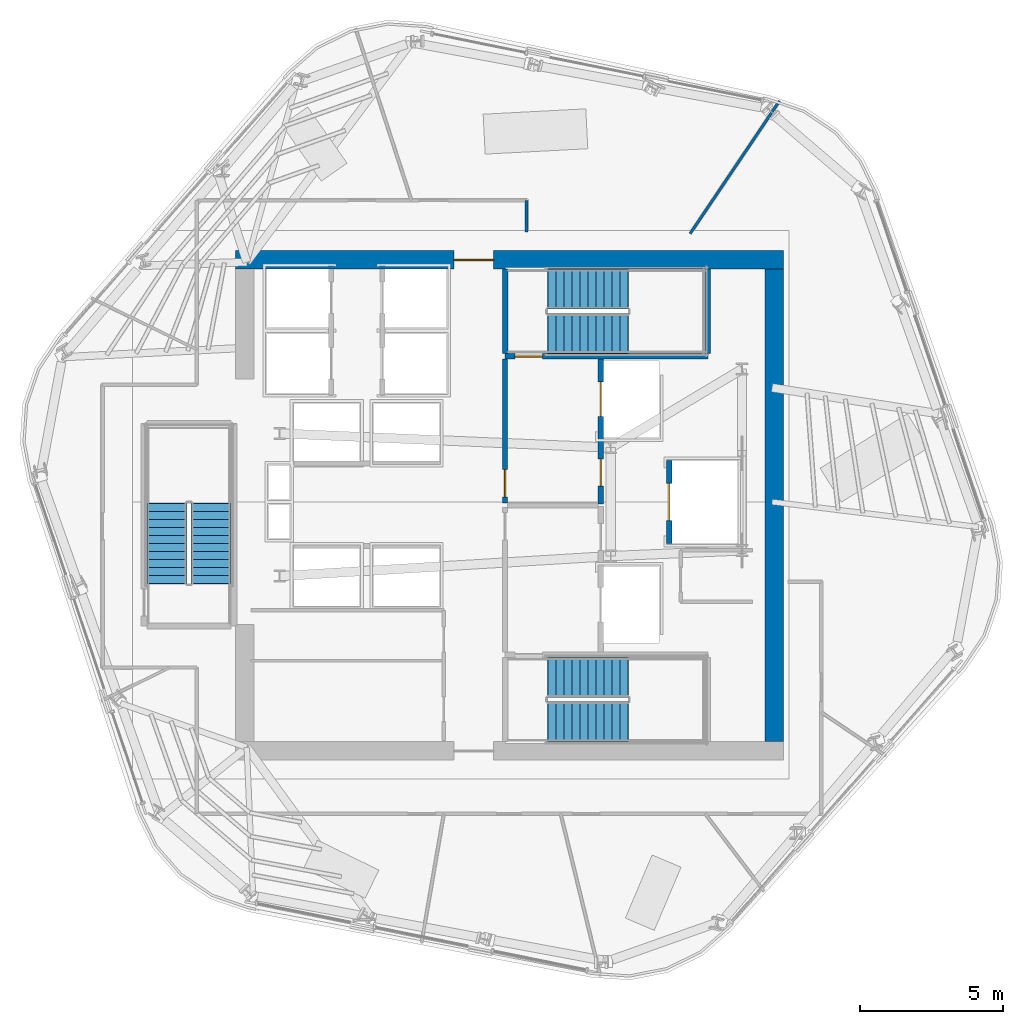
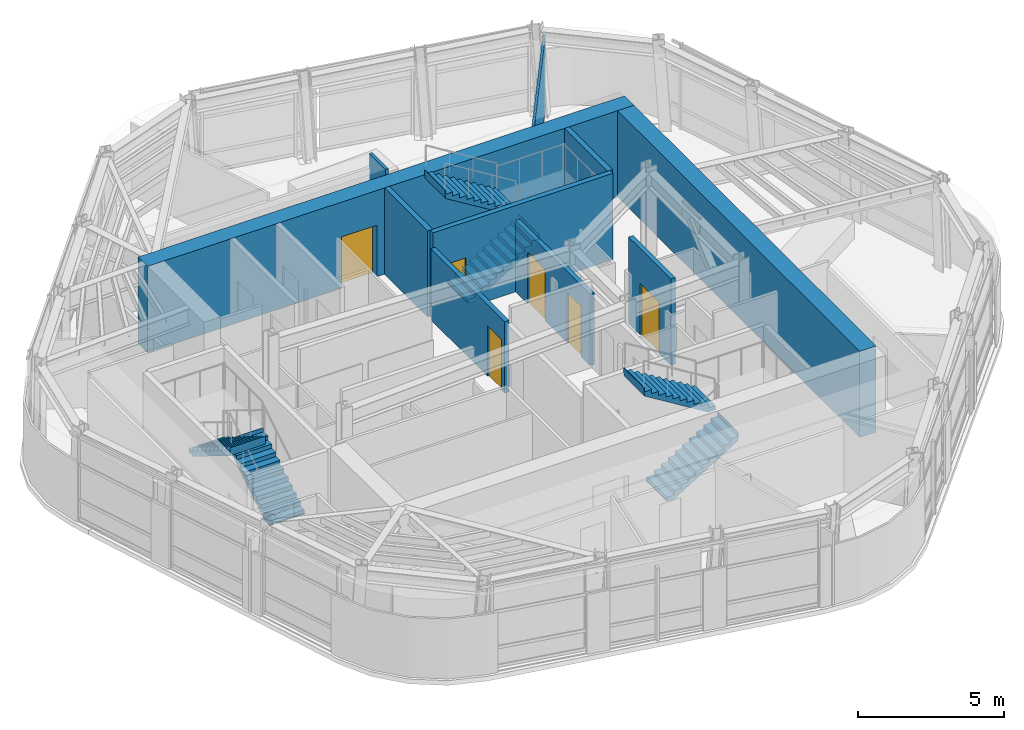
# One storey, part 7 of 12: 10 walls, 6 doors, 6 stair flights, 6 openings, 3 elements without a shape of their own.
"""IFC4 building model written with IfcOpenShell, lengths in metres."""

import ifcopenshell
import ifcopenshell.guid

model = None  # the IFC model being written
_history = None  # IfcOwnerHistory: only IFC2X3 demands one
_inside = {}  # id of a spatial element -> (the spatial element, [elements in it])
_under = {}  # id of a project, library or spatial element -> (it, [spatial elements below it])
_declared = {}  # id of a project -> (the project, [libraries it declares])
_typed = {}  # id of a type object -> (the type object, [elements of that type])
_made_of = {}  # id of a material, layer set ... -> (it, [elements and type objects made of it])


def new_model(schema):
    """Start an empty IFC model of exactly this schema.

    Asked for "IFC4X3", IfcOpenShell would pick the latest addendum, in which some entities
    have other attributes; the version numbers below select the first issue.
    IFC2X3 requires an IfcOwnerHistory on every rooted entity: one is made here for all.
    """
    global model, _history
    if schema == "IFC4X3":
        model = ifcopenshell.file(schema_version=(4, 3, 0, 0))
    else:
        model = ifcopenshell.file(schema=schema)
    _inside.clear()
    _under.clear()
    _declared.clear()
    _typed.clear()
    _made_of.clear()
    _history = None
    if model.schema == "IFC2X3":
        org = make("IfcOrganization", Name="unknown")
        user = make(
            "IfcPersonAndOrganization",
            ThePerson=make("IfcPerson", FamilyName="unknown"),
            TheOrganization=org,
        )
        app = make(
            "IfcApplication",
            ApplicationDeveloper=org,
            Version="unknown",
            ApplicationFullName="unknown",
            ApplicationIdentifier="unknown",
        )
        _history = make(
            "IfcOwnerHistory",
            OwningUser=user,
            OwningApplication=app,
            ChangeAction="ADDED",
            CreationDate=0,
        )
    return model


def make(cls, **values):
    """One entity of the class cls with the attributes given. An attribute that is None is left unset."""
    return model.create_entity(
        cls, **{name: value for name, value in values.items() if value is not None}
    )


def rooted(cls, **values):
    """An entity with a GlobalId (a new one), such as an element, a storey or a relation."""
    return make(cls, GlobalId=ifcopenshell.guid.new(), OwnerHistory=_history, **values)


def si_unit(unit_type, name, prefix=None):
    """IfcSIUnit, for example si_unit("LENGTHUNIT", "METRE", prefix="MILLI")."""
    return make("IfcSIUnit", UnitType=unit_type, Prefix=prefix, Name=name)


def assignment(units):
    """IfcUnitAssignment: the units of a project."""
    return None if units is None else make("IfcUnitAssignment", Units=units)


def point(xyz):
    """IfcCartesianPoint."""
    return None if xyz is None else make("IfcCartesianPoint", Coordinates=xyz)


def direction(xyz):
    """IfcDirection."""
    return None if xyz is None else make("IfcDirection", DirectionRatios=xyz)


def frame(location, z_axis=None, x_axis=None):
    """IfcAxis2Placement3D, a coordinate frame: its origin and axes. An axis left out is left unset."""
    return make(
        "IfcAxis2Placement3D",
        Location=point(location),
        Axis=direction(z_axis),
        RefDirection=direction(x_axis),
    )


def frame_2d(location, x_axis=None):
    """IfcAxis2Placement2D, a coordinate frame in the plane: its origin and x axis."""
    return make(
        "IfcAxis2Placement2D", Location=point(location), RefDirection=direction(x_axis)
    )


def origin():
    """The frame at (0, 0, 0) with its axes left unset."""
    return frame((0.0, 0.0, 0.0))


def place(relative_to, where):
    """IfcLocalPlacement: puts the frame where relative to a parent placement (None: the world)."""
    return make(
        "IfcLocalPlacement", PlacementRelTo=relative_to, RelativePlacement=where
    )


def context(
    kind, dimensions, precision=None, world=None, true_north=None, identifier=None
):
    """IfcGeometricRepresentationContext, for example the 3D "Model" context."""
    return make(
        "IfcGeometricRepresentationContext",
        ContextIdentifier=identifier,
        ContextType=kind,
        CoordinateSpaceDimension=dimensions,
        Precision=precision,
        WorldCoordinateSystem=world,
        TrueNorth=true_north,
    )


def subcontext(parent, identifier, kind, view, scale=None):
    """IfcGeometricRepresentationSubContext, for example "Body" below "Model"."""
    return make(
        "IfcGeometricRepresentationSubContext",
        ContextIdentifier=identifier,
        ContextType=kind,
        ParentContext=parent,
        TargetScale=scale,
        TargetView=view,
    )


def project(units=None, contexts=None):
    """IfcProject with its units and contexts."""
    return rooted(
        "IfcProject",
        Name="project",
        RepresentationContexts=contexts,
        UnitsInContext=assignment(units),
    )


def spatial(cls, under=None, at=None, **own):
    """A site, building, storey or space (cls), placed at a placement, below another one or the project."""
    s = rooted(cls, ObjectPlacement=at, **own)
    if under is not None:
        _under.setdefault(under.id(), (under, []))[1].append(s)
    return s


def polyline(points):
    """IfcPolyline through the points."""
    return make("IfcPolyline", Points=[point(p) for p in points])


def profile(cls, at=None, kind="AREA", **sizes):
    """A parametric profile (cls). Its sizes go by their IFC names, for example OverallWidth=200.0."""
    return make(cls, ProfileType=kind, Position=at, **sizes)


def rectangle(**sizes):
    """IfcRectangleProfileDef."""
    return profile("IfcRectangleProfileDef", **sizes)


def outline(outer, holes=None, kind="AREA"):
    """IfcArbitraryClosedProfileDef: a profile drawn as a closed curve; with holes, ...WithVoids."""
    if holes is None:
        return make("IfcArbitraryClosedProfileDef", ProfileType=kind, OuterCurve=outer)
    return make(
        "IfcArbitraryProfileDefWithVoids",
        ProfileType=kind,
        OuterCurve=outer,
        InnerCurves=holes,
    )


def extrude(swept, where, along, depth):
    """IfcExtrudedAreaSolid: the profile swept, set in the frame where, extruded along a direction by depth."""
    return make(
        "IfcExtrudedAreaSolid",
        SweptArea=swept,
        Position=where,
        ExtrudedDirection=direction(along),
        Depth=depth,
    )


def shape(context_of_items, identifier, shape_type, items):
    """IfcShapeRepresentation: the items that make up one representation, for example the "Body"."""
    return make(
        "IfcShapeRepresentation",
        ContextOfItems=context_of_items,
        RepresentationIdentifier=identifier,
        RepresentationType=shape_type,
        Items=items,
    )


def material(Name=None, Category=None):
    """IfcMaterial."""
    return make("IfcMaterial", Name=Name, Category=Category)


def layer(
    of_material, thickness, ventilated=None, Name=None, Category=None, Priority=None
):
    """IfcMaterialLayer: one layer of a wall or slab, of a material (None: an air gap)."""
    return make(
        "IfcMaterialLayer",
        Material=of_material,
        LayerThickness=thickness,
        IsVentilated=ventilated,
        Name=Name,
        Category=Category,
        Priority=Priority,
    )


def layer_set(layers, Name=None):
    """IfcMaterialLayerSet."""
    return make("IfcMaterialLayerSet", MaterialLayers=layers, LayerSetName=Name)


def made_of(thing, what):
    """Note that an element or type object is made of a material, layer set ...; save() writes the relation."""
    if what is not None:
        _made_of.setdefault(what.id(), (what, []))[1].append(thing)
    return thing


def type_object(cls, material=None, **own):
    """A type object (cls), such as IfcWallType, which elements share."""
    return made_of(rooted(cls, **own), material)


def element(
    cls,
    number,
    at=None,
    inside=None,
    cuts=None,
    type_object=None,
    material=None,
    context=None,
    identifier="Body",
    shape_type=None,
    held_by="IfcProductDefinitionShape",
    body=None,
    shapes=None,
    **own,
):
    """One element of the class cls, such as IfcWall. Its Tag is "e" and its number.

    at: its placement. inside: the storey or other place that contains it. cuts: it is an
    opening in that element (IfcRelVoidsElement). A single representation is given by context,
    identifier, shape_type and body (its items); several are given by shapes. held_by: the class
    of the entity that holds the representations. save() writes the other relations.
    """
    e = rooted(cls, Tag="e%d" % number, ObjectPlacement=at, **own)
    if body is not None:
        shapes = [shape(context, identifier, shape_type, body)]
    if shapes is not None:
        e.Representation = make(held_by, Representations=shapes)
    if inside is not None:
        _inside.setdefault(inside.id(), (inside, []))[1].append(e)
    if cuts is not None:
        rooted(
            "IfcRelVoidsElement", RelatingBuildingElement=cuts, RelatedOpeningElement=e
        )
    if type_object is not None:
        _typed.setdefault(type_object.id(), (type_object, []))[1].append(e)
    return made_of(e, material)


def fill(opening, filler):
    """IfcRelFillsElement: the door or window that sits in an opening."""
    return rooted(
        "IfcRelFillsElement",
        RelatingOpeningElement=opening,
        RelatedBuildingElement=filler,
    )


def aggregate(whole, parts):
    """IfcRelAggregates: a whole, such as a stair, and the parts it consists of."""
    return rooted("IfcRelAggregates", RelatingObject=whole, RelatedObjects=parts)


def save(model, path):
    """Write the relations noted so far, then the file.

    IfcRelAggregates (storeys below a building ...), IfcRelContainedInSpatialStructure (elements
    in a storey), IfcRelDefinesByType, IfcRelAssociatesMaterial and IfcRelDeclares: one each for
    every whole, place, type object, material and project.
    """
    for whole, parts in _under.values():
        aggregate(whole, parts)
    for where, things in _inside.values():
        rooted(
            "IfcRelContainedInSpatialStructure",
            RelatedElements=things,
            RelatingStructure=where,
        )
    for kind, things in _typed.values():
        rooted("IfcRelDefinesByType", RelatedObjects=things, RelatingType=kind)
    for what, things in _made_of.values():
        rooted("IfcRelAssociatesMaterial", RelatedObjects=things, RelatingMaterial=what)
    for by, libraries in _declared.values():
        rooted("IfcRelDeclares", RelatingContext=by, RelatedDefinitions=libraries)
    model.write(path)


model = new_model("IFC4")

# Units and contexts
model_context = context("Model", 3, precision=1e-05, world=origin(), true_north=direction((0.0, 1.0)))
body_context = subcontext(model_context, "Body", "Model", "MODEL_VIEW")
ifc_project = project(units=[si_unit("LENGTHUNIT", "METRE"), si_unit("AREAUNIT", "SQUARE_METRE"), si_unit("VOLUMEUNIT", "CUBIC_METRE"), si_unit("PLANEANGLEUNIT", "RADIAN"), si_unit("MASSUNIT", "GRAM", prefix="KILO")], contexts=[model_context])

# Site, building, storey
site_placement = place(None, origin())
site = spatial("IfcSite", under=ifc_project, at=site_placement, CompositionType="ELEMENT")
building_placement = place(site_placement, origin())
building = spatial("IfcBuilding", under=site, at=building_placement, Name="Valkerne Bourse Tower", CompositionType="ELEMENT")
storey_placement = place(building_placement, frame((0.0, 0.0, 232.199951171875)))
storey = spatial("IfcBuildingStorey", under=building, at=storey_placement, Name="L59", CompositionType="ELEMENT", Elevation=232.199951171875)

# Wall, opening, door
ifc_material_1 = material(Name="Concrete C55/67", Category="concrete")
ifc_layer_1 = layer(ifc_material_1, 0.64990234375)
ifc_layer_set_1 = layer_set([ifc_layer_1], Name="Concrete C55/67")
wall_type_1 = type_object("IfcWallType", Name="W-CORE-650", PredefinedType="SHEAR", material=ifc_layer_set_1)
wall_1_placement = place(storey_placement, frame((37.199951171875, 35.47509765625, 0.0), z_axis=(0.0, 0.0, 1.0), x_axis=(1.0, 0.0, 0.0)))
wall_1 = element("IfcWall", 1, at=wall_1_placement, inside=storey, type_object=wall_type_1, Name="L59 Core Shear Wall NORTH", PredefinedType="SHEAR", context=body_context, shape_type="SweptSolid", body=[
    extrude(rectangle(XDim=19.199951171875, YDim=0.64990234375, at=frame_2d((9.60009765625, 0.0))), origin(), (0.0, 0.0, 1.0), 3.60009765625),
])
opening_1_placement = place(wall_1_placement, frame((7.64990234375, 0.0, 0.0)))
opening_1 = element("IfcOpeningElement", 2, at=opening_1_placement, cuts=wall_1, Name="Opening D-PL-1400", PredefinedType="OPENING", context=body_context, shape_type="SweptSolid", body=[
    extrude(rectangle(XDim=1.39990234375, YDim=2.14990234375, at=frame_2d((0.699951171875, 1.074951171875))), frame((0.0, 0.3349609375, 0.0), z_axis=(0.0, -1.0, 0.0), x_axis=(1.0, 0.0, 0.0)), (0.0, 0.0, 1.0), 0.669921875),
])
ifc_material_2 = material(Name="Galvanised Painted Steel", Category="steel")
door_type_1 = type_object("IfcDoorType", Name="DR-PLT-1400", OperationType="DOUBLE_DOOR_SINGLE_SWING", PredefinedType="DOOR", material=ifc_material_2)
door_1_placement = place(opening_1_placement, origin())
door_1 = element("IfcDoor", 3, at=door_1_placement, inside=storey, type_object=door_type_1, Name="L59 North Passenger Lift Hall Fire Door", OperationType="DOUBLE_DOOR_SINGLE_SWING", OverallHeight=2.14990234375, OverallWidth=1.39990234375, PredefinedType="DOOR", context=body_context, shape_type="SweptSolid", body=[
    extrude(rectangle(XDim=1.39990234375, YDim=2.14990234375, at=frame_2d((0.699951171875, 1.074951171875))), frame((0.0, 0.02490234375, 0.0), z_axis=(0.0, -1.0, 0.0), x_axis=(1.0, 0.0, 0.0)), (0.0, 0.0, 1.0), 0.050048828125),
])
fill(opening_1, door_1)

# Walls
wall_2_placement = place(storey_placement, frame((56.074951171875, 18.60009765625, 0.0), z_axis=(0.0, 0.0, 1.0), x_axis=(0.0, 1.0, 0.0)))
element("IfcWall", 4, at=wall_2_placement, inside=storey, type_object=wall_type_1, Name="L59 Core Shear Wall EAST", PredefinedType="SHEAR", context=body_context, shape_type="SweptSolid", body=[
    extrude(rectangle(XDim=16.5498046875, YDim=0.64990234375, at=frame_2d((8.27490234375, 0.0))), origin(), (0.0, 0.0, 1.0), 3.60009765625),
])
ifc_material_3 = material(Name="Gypsum Board Steel-Stud Partition", Category="steel")
ifc_layer_2 = layer(ifc_material_3, 0.117919921875)
ifc_layer_set_2 = layer_set([ifc_layer_2], Name="Gypsum Board Steel-Stud Partition")
wall_type_2 = type_object("IfcWallType", Name="W-CORR-140", PredefinedType="PARTITIONING", material=ifc_layer_set_2)
wall_3_placement = place(storey_placement, frame((47.39990234375, 37.56005859375, 0.0), z_axis=(0.0, 0.0, 1.0), x_axis=(0.0, -1.0, 0.0)))
element("IfcWall", 5, at=wall_3_placement, inside=storey, type_object=wall_type_2, Name="L59 Corridor Enclosure Wall", PredefinedType="PARTITIONING", context=body_context, shape_type="SweptSolid", body=[
    extrude(rectangle(XDim=1.10009765625, YDim=0.117919921875, at=frame_2d((0.550048828125, 0.0))), origin(), (0.0, 0.0, 1.0), 3.300048828125),
])

# Wall, opening, door
ifc_material_4 = material(Name="Gypsum Fire-Rated Shaftwall", Category="gypsum")
ifc_layer_3 = layer(ifc_material_4, 0.179931640625)
ifc_layer_set_3 = layer_set([ifc_layer_3], Name="Gypsum Fire-Rated Shaftwall")
wall_type_3 = type_object("IfcWallType", Name="W-FSAE-180", PredefinedType="PARTITIONING", material=ifc_layer_set_3)
wall_4_placement = place(storey_placement, frame((46.64990234375, 26.9599609375, 0.0), z_axis=(0.0, 0.0, 1.0), x_axis=(0.0, 1.0, 0.0)))
wall_4 = element("IfcWall", 6, at=wall_4_placement, inside=storey, type_object=wall_type_3, Name="L59 FSAE-2 Lobby West Fire Wall", PredefinedType="PARTITIONING", context=body_context, shape_type="SweptSolid", body=[
    extrude(rectangle(XDim=5.0400390625, YDim=0.179931640625, at=frame_2d((2.52001953125, 0.0))), origin(), (0.0, 0.0, 1.0), 2.97802734375),
])
opening_2_placement = place(wall_4_placement, frame((0.219970703125, 0.0, 0.0)))
opening_2 = element("IfcOpeningElement", 7, at=opening_2_placement, cuts=wall_4, Name="Opening D-FS-950", PredefinedType="OPENING", context=body_context, shape_type="SweptSolid", body=[
    extrude(rectangle(XDim=0.949951171875, YDim=2.10009765625, at=frame_2d((0.47509765625, 1.050048828125))), frame((0.0, 0.099853515625, 0.0), z_axis=(0.0, -1.0, 0.0), x_axis=(1.0, 0.0, 0.0)), (0.0, 0.0, 1.0), 0.199951171875),
])
door_type_2 = type_object("IfcDoorType", Name="DR-FSAE-950", OperationType="NOTDEFINED", PredefinedType="DOOR", material=ifc_material_2)
door_2_placement = place(opening_2_placement, origin())
door_2 = element("IfcDoor", 8, at=door_2_placement, inside=storey, type_object=door_type_2, Name="L59 FSAE-2 Hall Link Fire Door", OperationType="SINGLE_SWING_RIGHT", OverallHeight=2.10009765625, OverallWidth=0.949951171875, PredefinedType="DOOR", context=body_context, shape_type="SweptSolid", body=[
    extrude(rectangle(XDim=0.949951171875, YDim=2.10009765625, at=frame_2d((0.47509765625, 1.050048828125))), frame((0.0, 0.02490234375, 0.0), z_axis=(0.0, -1.0, 0.0), x_axis=(1.0, 0.0, 0.0)), (0.0, 0.0, 1.0), 0.050048828125),
])
fill(opening_2, door_2)

# Wall, openings, doors
wall_5_placement = place(storey_placement, frame((50.0, 26.919921875, 0.0), z_axis=(0.0, 0.0, 1.0), x_axis=(0.0, 1.0, 0.0)))
wall_5 = element("IfcWall", 9, at=wall_5_placement, inside=storey, type_object=wall_type_3, Name="L59 FSAE-2 Lobby & Shaft Front Wall", PredefinedType="PARTITIONING", context=body_context, shape_type="SweptSolid", body=[
    extrude(rectangle(XDim=5.080078125, YDim=0.179931640625, at=frame_2d((2.5400390625, 0.0))), origin(), (0.0, 0.0, 1.0), 2.97802734375),
])
opening_3_placement = place(wall_5_placement, frame((3.080078125, 0.0, 0.0)))
opening_3 = element("IfcOpeningElement", 10, at=opening_3_placement, cuts=wall_5, Name="Opening LD-1200", PredefinedType="OPENING", context=body_context, shape_type="SweptSolid", body=[
    extrude(rectangle(XDim=1.199951171875, YDim=2.14990234375, at=frame_2d((0.60009765625, 1.074951171875))), frame((0.0, 0.099853515625, 0.0), z_axis=(0.0, -1.0, 0.0), x_axis=(1.0, 0.0, 0.0)), (0.0, 0.0, 1.0), 0.199951171875),
])
opening_4_placement = place(wall_5_placement, frame((0.6298828125, 0.0, 0.0)))
opening_4 = element("IfcOpeningElement", 11, at=opening_4_placement, cuts=wall_5, Name="Opening D-FS-950", PredefinedType="OPENING", context=body_context, shape_type="SweptSolid", body=[
    extrude(rectangle(XDim=0.949951171875, YDim=2.10009765625, at=frame_2d((0.47509765625, 1.050048828125))), frame((0.0, 0.099853515625, 0.0), z_axis=(0.0, -1.0, 0.0), x_axis=(1.0, 0.0, 0.0)), (0.0, 0.0, 1.0), 0.199951171875),
])
door_3_placement = place(opening_4_placement, origin())
door_3 = element("IfcDoor", 12, at=door_3_placement, inside=storey, type_object=door_type_2, Name="L59 FSAE-2 Lobby Corridor Fire Door", OperationType="SINGLE_SWING_LEFT", OverallHeight=2.10009765625, OverallWidth=0.949951171875, PredefinedType="DOOR", context=body_context, shape_type="SweptSolid", body=[
    extrude(rectangle(XDim=0.949951171875, YDim=2.10009765625, at=frame_2d((0.47509765625, 1.050048828125))), frame((0.0, 0.02490234375, 0.0), z_axis=(0.0, -1.0, 0.0), x_axis=(1.0, 0.0, 0.0)), (0.0, 0.0, 1.0), 0.050048828125),
])
fill(opening_4, door_3)
ifc_material_5 = material(Name="Stainless Steel AISI 316", Category="steel")
door_type_3 = type_object("IfcDoorType", Name="DR-LIFT-1200", OperationType="DOUBLE_DOOR_SLIDING", PredefinedType="DOOR", material=ifc_material_5)
door_4_placement = place(opening_3_placement, origin())
door_4 = element("IfcDoor", 13, at=door_4_placement, inside=storey, type_object=door_type_3, Name="L59 FSAE-2 Firefighting Lift Landing Door", OperationType="DOUBLE_DOOR_SLIDING", OverallHeight=2.14990234375, OverallWidth=1.199951171875, PredefinedType="DOOR", context=body_context, shape_type="SweptSolid", body=[
    extrude(rectangle(XDim=1.199951171875, YDim=2.14990234375, at=frame_2d((0.60009765625, 1.074951171875))), frame((0.0, 0.02490234375, 0.0), z_axis=(0.0, -1.0, 0.0), x_axis=(1.0, 0.0, 0.0)), (0.0, 0.0, 1.0), 0.050048828125),
])
fill(opening_3, door_4)

# Wall, opening, door
ifc_material_6 = material(Name="CMU Blockwork Masonry 200mm", Category="masonry")
ifc_layer_4 = layer(ifc_material_6, 0.179931640625)
ifc_layer_set_4 = layer_set([ifc_layer_4], Name="CMU Blockwork Masonry 200mm")
wall_type_4 = type_object("IfcWallType", Name="W-LFT-180", PredefinedType="SOLIDWALL", material=ifc_layer_set_4)
wall_6_placement = place(storey_placement, frame((52.39990234375, 25.550048828125, 0.0), z_axis=(0.0, 0.0, 1.0), x_axis=(0.0, 1.0, 0.0)))
wall_6 = element("IfcWall", 14, at=wall_6_placement, inside=storey, type_object=wall_type_4, Name="L59 Service Lift SV-1 Front Wall", PredefinedType="SOLIDWALL", context=body_context, shape_type="SweptSolid", body=[
    extrude(rectangle(XDim=2.89990234375, YDim=0.179931640625, at=frame_2d((1.449951171875, 0.0))), origin(), (0.0, 0.0, 1.0), 3.60009765625),
])
opening_5_placement = place(wall_6_placement, frame((0.800048828125, 0.0, 0.0)))
opening_5 = element("IfcOpeningElement", 15, at=opening_5_placement, cuts=wall_6, Name="Opening LD-1300", PredefinedType="OPENING", context=body_context, shape_type="SweptSolid", body=[
    extrude(rectangle(XDim=1.300048828125, YDim=2.14990234375, at=frame_2d((0.64990234375, 1.074951171875))), frame((0.0, 0.099853515625, 0.0), z_axis=(0.0, -1.0, 0.0), x_axis=(1.0, 0.0, 0.0)), (0.0, 0.0, 1.0), 0.199951171875),
])
door_type_4 = type_object("IfcDoorType", Name="DR-LIFT-1300", OperationType="DOUBLE_DOOR_SLIDING", PredefinedType="DOOR", material=ifc_material_5)
door_5_placement = place(opening_5_placement, origin())
door_5 = element("IfcDoor", 16, at=door_5_placement, inside=storey, type_object=door_type_4, Name="L59 Service Lift SV-1 Landing Door", OperationType="DOUBLE_DOOR_SLIDING", OverallHeight=2.14990234375, OverallWidth=1.300048828125, PredefinedType="DOOR", context=body_context, shape_type="SweptSolid", body=[
    extrude(rectangle(XDim=1.300048828125, YDim=2.14990234375, at=frame_2d((0.64990234375, 1.074951171875))), frame((0.0, 0.02490234375, 0.0), z_axis=(0.0, -1.0, 0.0), x_axis=(1.0, 0.0, 0.0)), (0.0, 0.0, 1.0), 0.050048828125),
])
fill(opening_5, door_5)

# Wall
ifc_layer_5 = layer(ifc_material_3, 0.092041015625)
ifc_layer_set_5 = layer_set([ifc_layer_5], Name="Gypsum Board Steel-Stud Partition")
wall_type_5 = type_object("IfcWallType", Name="W-PART-115", PredefinedType="PARTITIONING", material=ifc_layer_set_5)
wall_7_placement = place(storey_placement, frame((53.13330078125, 36.39990234375, 0.0), z_axis=(0.0, 0.0, 1.0), x_axis=(0.558737461981, 0.829344589769, 0.0)))
element("IfcWall", 17, at=wall_7_placement, inside=storey, type_object=wall_type_5, Name="L59 Suite Partition P05", PredefinedType="PARTITIONING", context=body_context, shape_type="SweptSolid", body=[
    extrude(rectangle(XDim=5.600830078125, YDim=0.092041015625, at=frame_2d((2.80029296875, 0.0))), origin(), (0.0, 0.0, 1.0), 3.036376953125),
])

# Wall, opening, door
ifc_material_7 = material(Name="Concrete C40/50", Category="concrete")
ifc_layer_6 = layer(ifc_material_7, 0.199951171875)
ifc_layer_set_6 = layer_set([ifc_layer_6], Name="Concrete C40/50")
wall_type_6 = type_object("IfcWallType", Name="W-SHF-200", PredefinedType="SHEAR", material=ifc_layer_set_6)
wall_8_placement = place(storey_placement, frame((46.64990234375, 32.10009765625, 0.0), z_axis=(0.0, 0.0, 1.0), x_axis=(1.0, 0.0, 0.0)))
wall_8 = element("IfcWall", 18, at=wall_8_placement, inside=storey, type_object=wall_type_6, Name="L59 Exit Stair ST-2 Structural Shaft Wall South", PredefinedType="SHEAR", context=body_context, shape_type="SweptSolid", body=[
    extrude(rectangle(XDim=7.10009765625, YDim=0.199951171875, at=frame_2d((3.550048828125, 0.0))), origin(), (0.0, 0.0, 1.0), 3.60009765625),
])
opening_6_placement = place(wall_8_placement, frame((0.35009765625, 0.0, 0.0)))
opening_6 = element("IfcOpeningElement", 19, at=opening_6_placement, cuts=wall_8, Name="Opening D-ST-950", PredefinedType="OPENING", context=body_context, shape_type="SweptSolid", body=[
    extrude(rectangle(XDim=0.949951171875, YDim=2.10009765625, at=frame_2d((0.47509765625, 1.050048828125))), frame((0.0, 0.10986328125, 0.0), z_axis=(0.0, -1.0, 0.0), x_axis=(1.0, 0.0, 0.0)), (0.0, 0.0, 1.0), 0.219970703125),
])
door_type_5 = type_object("IfcDoorType", Name="DR-STAIR-950", OperationType="NOTDEFINED", PredefinedType="DOOR", material=ifc_material_2)
door_6_placement = place(opening_6_placement, origin())
door_6 = element("IfcDoor", 20, at=door_6_placement, inside=storey, type_object=door_type_5, Name="L59 Exit Stair ST-2 Door", OperationType="SINGLE_SWING_RIGHT", OverallHeight=2.10009765625, OverallWidth=0.949951171875, PredefinedType="DOOR", context=body_context, shape_type="SweptSolid", body=[
    extrude(rectangle(XDim=0.949951171875, YDim=2.10009765625, at=frame_2d((0.47509765625, 1.050048828125))), frame((0.0, 0.02490234375, 0.0), z_axis=(0.0, -1.0, 0.0), x_axis=(1.0, 0.0, 0.0)), (0.0, 0.0, 1.0), 0.050048828125),
])
fill(opening_6, door_6)

# Walls
for number, where, z_axis, x_axis, name in (
    (21, (46.64990234375, 32.199951171875, 0.0), (0.0, 0.0, 1.0), (0.0, 1.0, 0.0), "L59 Exit Stair ST-2 Structural Shaft Wall West"),
    (22, (53.75, 32.199951171875, 0.0), (0.0, 0.0, 1.0), (0.0, 1.0, 0.0), "L59 Exit Stair ST-2 Structural Shaft Wall East"),
):
    element("IfcWall", number, at=place(storey_placement, frame(where, z_axis=z_axis, x_axis=x_axis)), inside=storey, type_object=wall_type_6, Name=name, PredefinedType="SHEAR", context=body_context, shape_type="SweptSolid", body=[
        extrude(rectangle(XDim=2.949951171875, YDim=0.199951171875, at=frame_2d((1.47509765625, 0.0))), origin(), (0.0, 0.0, 1.0), 3.60009765625),
    ])

# Stair, stair flights
stair_type = type_object("IfcStairType", Name="ST-CORE-1400", PredefinedType="HALF_TURN_STAIR", material=ifc_material_7)
stair_1_placement = place(storey_placement, origin())
stair_1 = element("IfcStair", 23, at=stair_1_placement, inside=storey, type_object=stair_type, Name="L59 ST-1", PredefinedType="HALF_TURN_STAIR")
stair_flight_type = type_object("IfcStairFlightType", Name="STF-CORE-1400", PredefinedType="STRAIGHT", material=ifc_material_7)
stair_flight_1_placement = place(storey_placement, frame((48.14990234375, 19.300048828125, 0.0), z_axis=(0.0, 0.0, 1.0), x_axis=(1.0, 0.0, 0.0)))
stair_flight_1 = element("IfcStairFlight", 24, at=stair_flight_1_placement, type_object=stair_flight_type, Name="ST-1 flight 1", NumberOfRisers=11, NumberOfTreads=10, PredefinedType="STRAIGHT", RiserHeight=0.172727273, TreadLength=0.28, context=body_context, shape_type="SweptSolid", body=[
    extrude(outline(polyline([(-0.02001953125, 0.0), (-0.02001953125, 0.044921875), (0.0, 0.044921875), (0.0, 0.172607421875), (0.280029296875, 0.172607421875), (0.280029296875, 0.345458984375), (0.56005859375, 0.345458984375), (0.56005859375, 0.51806640625), (0.840087890625, 0.51806640625), (0.840087890625, 0.69091796875), (1.1201171875, 0.69091796875), (1.1201171875, 0.863525390625), (1.39990234375, 0.863525390625), (1.39990234375, 1.036376953125), (1.679931640625, 1.036376953125), (1.679931640625, 1.208984375), (1.9599609375, 1.208984375), (1.9599609375, 1.3818359375), (2.239990234375, 1.3818359375), (2.239990234375, 1.554443359375), (2.52001953125, 1.554443359375), (2.52001953125, 1.727294921875), (2.800048828125, 1.727294921875), (2.800048828125, 1.89990234375), (2.820068359375, 1.89990234375), (2.820068359375, 1.780029296875), (2.800048828125, 1.551025390625), (0.285400390625, 0.0), (-0.02001953125, 0.0)])), frame((0.0, 0.699951171875, 0.0), z_axis=(0.0, -1.0, 0.0), x_axis=(1.0, 0.0, 0.0)), (0.0, 0.0, 1.0), 1.39990234375),
])
stair_flight_2_placement = place(storey_placement, frame((50.949951171875, 20.85009765625, 1.900146484375), z_axis=(0.0, 0.0, 1.0), x_axis=(-1.0, 0.0, 0.0)))
stair_flight_2 = element("IfcStairFlight", 25, at=stair_flight_2_placement, type_object=stair_flight_type, Name="ST-1 flight 2", NumberOfRisers=11, NumberOfTreads=10, PredefinedType="STRAIGHT", RiserHeight=0.172727273, TreadLength=0.28, context=body_context, shape_type="SweptSolid", body=[
    extrude(outline(polyline([(-0.02001953125, 0.0), (-0.02001953125, 0.044921875), (0.0, 0.044921875), (0.0, 0.172607421875), (0.280029296875, 0.172607421875), (0.280029296875, 0.345458984375), (0.56005859375, 0.345458984375), (0.56005859375, 0.51806640625), (0.840087890625, 0.51806640625), (0.840087890625, 0.69091796875), (1.1201171875, 0.69091796875), (1.1201171875, 0.863525390625), (1.39990234375, 0.863525390625), (1.39990234375, 1.036376953125), (1.679931640625, 1.036376953125), (1.679931640625, 1.208984375), (1.9599609375, 1.208984375), (1.9599609375, 1.3818359375), (2.239990234375, 1.3818359375), (2.239990234375, 1.554443359375), (2.52001953125, 1.554443359375), (2.52001953125, 1.727294921875), (2.800048828125, 1.727294921875), (2.800048828125, 1.89990234375), (2.820068359375, 1.89990234375), (2.820068359375, 1.780029296875), (2.800048828125, 1.551025390625), (0.285400390625, 0.0), (-0.02001953125, 0.0)])), frame((0.0, 0.699951171875, 0.0), z_axis=(0.0, -1.0, 0.0), x_axis=(1.0, 0.0, 0.0)), (0.0, 0.0, 1.0), 1.39990234375),
])
aggregate(stair_1, [stair_flight_1, stair_flight_2])

stair_2_placement = place(storey_placement, origin())
stair_2 = element("IfcStair", 26, at=stair_2_placement, inside=storey, type_object=stair_type, Name="L59 ST-2", PredefinedType="HALF_TURN_STAIR")
stair_flight_3_placement = place(storey_placement, frame((48.14990234375, 32.89990234375, 0.0), z_axis=(0.0, 0.0, 1.0), x_axis=(1.0, 0.0, 0.0)))
stair_flight_3 = element("IfcStairFlight", 27, at=stair_flight_3_placement, type_object=stair_flight_type, Name="ST-2 flight 1", NumberOfRisers=11, NumberOfTreads=10, PredefinedType="STRAIGHT", RiserHeight=0.172727273, TreadLength=0.28, context=body_context, shape_type="SweptSolid", body=[
    extrude(outline(polyline([(-0.02001953125, 0.0), (-0.02001953125, 0.044921875), (0.0, 0.044921875), (0.0, 0.172607421875), (0.280029296875, 0.172607421875), (0.280029296875, 0.345458984375), (0.56005859375, 0.345458984375), (0.56005859375, 0.51806640625), (0.840087890625, 0.51806640625), (0.840087890625, 0.69091796875), (1.1201171875, 0.69091796875), (1.1201171875, 0.863525390625), (1.39990234375, 0.863525390625), (1.39990234375, 1.036376953125), (1.679931640625, 1.036376953125), (1.679931640625, 1.208984375), (1.9599609375, 1.208984375), (1.9599609375, 1.3818359375), (2.239990234375, 1.3818359375), (2.239990234375, 1.554443359375), (2.52001953125, 1.554443359375), (2.52001953125, 1.727294921875), (2.800048828125, 1.727294921875), (2.800048828125, 1.89990234375), (2.820068359375, 1.89990234375), (2.820068359375, 1.780029296875), (2.800048828125, 1.551025390625), (0.285400390625, 0.0), (-0.02001953125, 0.0)])), frame((0.0, 0.699951171875, 0.0), z_axis=(0.0, -1.0, 0.0), x_axis=(1.0, 0.0, 0.0)), (0.0, 0.0, 1.0), 1.39990234375),
])
stair_flight_4_placement = place(storey_placement, frame((50.949951171875, 34.449951171875, 1.900146484375), z_axis=(0.0, 0.0, 1.0), x_axis=(-1.0, 0.0, 0.0)))
stair_flight_4 = element("IfcStairFlight", 28, at=stair_flight_4_placement, type_object=stair_flight_type, Name="ST-2 flight 2", NumberOfRisers=11, NumberOfTreads=10, PredefinedType="STRAIGHT", RiserHeight=0.172727273, TreadLength=0.28, context=body_context, shape_type="SweptSolid", body=[
    extrude(outline(polyline([(-0.02001953125, 0.0), (-0.02001953125, 0.044921875), (0.0, 0.044921875), (0.0, 0.172607421875), (0.280029296875, 0.172607421875), (0.280029296875, 0.345458984375), (0.56005859375, 0.345458984375), (0.56005859375, 0.51806640625), (0.840087890625, 0.51806640625), (0.840087890625, 0.69091796875), (1.1201171875, 0.69091796875), (1.1201171875, 0.863525390625), (1.39990234375, 0.863525390625), (1.39990234375, 1.036376953125), (1.679931640625, 1.036376953125), (1.679931640625, 1.208984375), (1.9599609375, 1.208984375), (1.9599609375, 1.3818359375), (2.239990234375, 1.3818359375), (2.239990234375, 1.554443359375), (2.52001953125, 1.554443359375), (2.52001953125, 1.727294921875), (2.800048828125, 1.727294921875), (2.800048828125, 1.89990234375), (2.820068359375, 1.89990234375), (2.820068359375, 1.780029296875), (2.800048828125, 1.551025390625), (0.285400390625, 0.0), (-0.02001953125, 0.0)])), frame((0.0, 0.699951171875, 0.0), z_axis=(0.0, -1.0, 0.0), x_axis=(1.0, 0.0, 0.0)), (0.0, 0.0, 1.0), 1.39990234375),
])
aggregate(stair_2, [stair_flight_3, stair_flight_4])

stair_3_placement = place(storey_placement, origin())
stair_3 = element("IfcStair", 29, at=stair_3_placement, inside=storey, type_object=stair_type, Name="L59 ST-3", PredefinedType="HALF_TURN_STAIR")
stair_flight_5_placement = place(storey_placement, frame((36.35009765625, 24.14990234375, 0.0), z_axis=(0.0, 0.0, 1.0), x_axis=(0.0, 1.0, 0.0)))
stair_flight_5 = element("IfcStairFlight", 30, at=stair_flight_5_placement, type_object=stair_flight_type, Name="ST-3 flight 1", NumberOfRisers=11, NumberOfTreads=10, PredefinedType="STRAIGHT", RiserHeight=0.172727273, TreadLength=0.28, context=body_context, shape_type="SweptSolid", body=[
    extrude(outline(polyline([(-0.02001953125, 0.0), (-0.02001953125, 0.044921875), (0.0, 0.044921875), (0.0, 0.172607421875), (0.280029296875, 0.172607421875), (0.280029296875, 0.345458984375), (0.56005859375, 0.345458984375), (0.56005859375, 0.51806640625), (0.840087890625, 0.51806640625), (0.840087890625, 0.69091796875), (1.1201171875, 0.69091796875), (1.1201171875, 0.863525390625), (1.39990234375, 0.863525390625), (1.39990234375, 1.036376953125), (1.679931640625, 1.036376953125), (1.679931640625, 1.208984375), (1.9599609375, 1.208984375), (1.9599609375, 1.3818359375), (2.239990234375, 1.3818359375), (2.239990234375, 1.554443359375), (2.52001953125, 1.554443359375), (2.52001953125, 1.727294921875), (2.800048828125, 1.727294921875), (2.800048828125, 1.89990234375), (2.820068359375, 1.89990234375), (2.820068359375, 1.780029296875), (2.800048828125, 1.551025390625), (0.285400390625, 0.0), (-0.02001953125, 0.0)])), frame((0.0, 0.699951171875, 0.0), z_axis=(0.0, -1.0, 0.0), x_axis=(1.0, 0.0, 0.0)), (0.0, 0.0, 1.0), 1.39990234375),
])
stair_flight_6_placement = place(storey_placement, frame((34.800048828125, 26.949951171875, 1.900146484375), z_axis=(0.0, 0.0, 1.0), x_axis=(0.0, -1.0, 0.0)))
stair_flight_6 = element("IfcStairFlight", 31, at=stair_flight_6_placement, type_object=stair_flight_type, Name="ST-3 flight 2", NumberOfRisers=11, NumberOfTreads=10, PredefinedType="STRAIGHT", RiserHeight=0.172727273, TreadLength=0.28, context=body_context, shape_type="SweptSolid", body=[
    extrude(outline(polyline([(-0.02001953125, 0.0), (-0.02001953125, 0.044921875), (0.0, 0.044921875), (0.0, 0.172607421875), (0.280029296875, 0.172607421875), (0.280029296875, 0.345458984375), (0.56005859375, 0.345458984375), (0.56005859375, 0.51806640625), (0.840087890625, 0.51806640625), (0.840087890625, 0.69091796875), (1.1201171875, 0.69091796875), (1.1201171875, 0.863525390625), (1.39990234375, 0.863525390625), (1.39990234375, 1.036376953125), (1.679931640625, 1.036376953125), (1.679931640625, 1.208984375), (1.9599609375, 1.208984375), (1.9599609375, 1.3818359375), (2.239990234375, 1.3818359375), (2.239990234375, 1.554443359375), (2.52001953125, 1.554443359375), (2.52001953125, 1.727294921875), (2.800048828125, 1.727294921875), (2.800048828125, 1.89990234375), (2.820068359375, 1.89990234375), (2.820068359375, 1.780029296875), (2.800048828125, 1.551025390625), (0.285400390625, 0.0), (-0.02001953125, 0.0)])), frame((0.0, 0.699951171875, 0.0), z_axis=(0.0, -1.0, 0.0), x_axis=(1.0, 0.0, 0.0)), (0.0, 0.0, 1.0), 1.39990234375),
])
aggregate(stair_3, [stair_flight_5, stair_flight_6])

save(model, "model.ifc")
